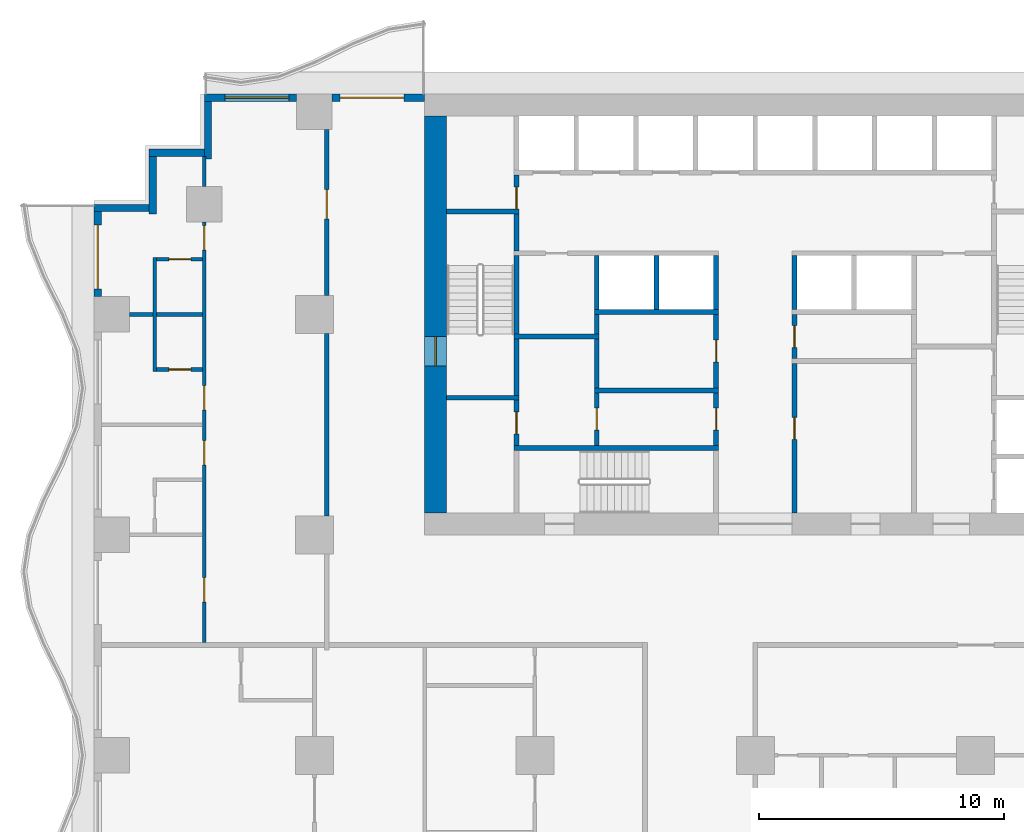
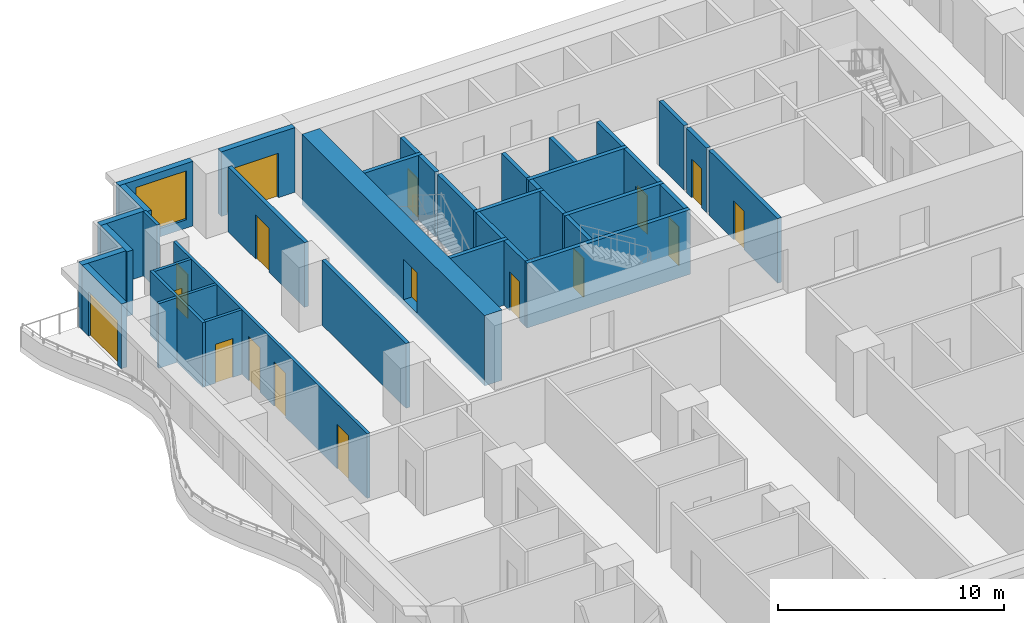
# One storey, part 5 of 14: 39 walls, 17 doors, 1 window, 18 openings.
"""IFC4 building model written with IfcOpenShell, lengths in metres."""

from ifc_helpers import new_model, si_unit, direction, frame, frame_2d, origin, place, context, subcontext, project, spatial, rectangle, extrude, material, layer, layer_set, type_object, element, fill, save


model = new_model("IFC4")

# Units and contexts
model_context = context("Model", 3, precision=1e-05, world=origin(), true_north=direction((0.0, 1.0)))
body_context = subcontext(model_context, "Body", "Model", "MODEL_VIEW")
ifc_project = project(units=[si_unit("LENGTHUNIT", "METRE"), si_unit("AREAUNIT", "SQUARE_METRE"), si_unit("VOLUMEUNIT", "CUBIC_METRE"), si_unit("PLANEANGLEUNIT", "RADIAN"), si_unit("MASSUNIT", "GRAM", prefix="KILO")], contexts=[model_context])

# Site, building, storey
site_placement = place(None, origin())
site = spatial("IfcSite", under=ifc_project, at=site_placement, CompositionType="ELEMENT")
building_placement = place(site_placement, origin())
building = spatial("IfcBuilding", under=site, at=building_placement, Name="Orbiselva Terraces", CompositionType="ELEMENT")
storey_placement = place(building_placement, frame((0.0, 0.0, 22.6)))
storey = spatial("IfcBuildingStorey", under=building, at=storey_placement, Name="L05", CompositionType="ELEMENT", Elevation=22.6)

# Wall, opening, door
ifc_material_1 = material(Name="Concrete C80/95", Category="concrete")
ifc_layer_1 = layer(ifc_material_1, 0.9)
ifc_layer_set_1 = layer_set([ifc_layer_1], Name="Concrete C80/95")
wall_type_1 = type_object("IfcWallType", Name="CORE WALL 900", PredefinedType="SHEAR", material=ifc_layer_set_1)
wall_1_placement = place(storey_placement, frame((-13.05, 21.6, -0.3), z_axis=(0.0, 0.0, 1.0), x_axis=(0.0, -1.0, 0.0)))
wall_1 = element("IfcWall", 1, at=wall_1_placement, inside=storey, type_object=wall_type_1, Name="Core wall L05 west", PredefinedType="SHEAR", context=body_context, shape_type="SweptSolid", body=[
    extrude(rectangle(XDim=16.2, YDim=0.9, at=frame_2d((8.1, 0.0))), origin(), (0.0, 0.0, 1.0), 3.8),
])
opening_1_placement = place(wall_1_placement, frame((9.0, 0.0, 0.3)))
opening_1 = element("IfcOpeningElement", 2, at=opening_1_placement, cuts=wall_1, Name="Opening DS1200", PredefinedType="OPENING", context=body_context, shape_type="SweptSolid", body=[
    extrude(rectangle(XDim=1.2, YDim=2.2, at=frame_2d((0.6, 1.1))), frame((0.0, 0.46, 0.0), z_axis=(0.0, -1.0, 0.0), x_axis=(1.0, 0.0, 0.0)), (0.0, 0.0, 1.0), 0.92),
])
ifc_material_2 = material(Name="Steel fire door", Category="steel")
door_type_1 = type_object("IfcDoorType", Name="STAIR DOOR 1200", OperationType="NOTDEFINED", PredefinedType="DOOR", material=ifc_material_2)
door_1_placement = place(opening_1_placement, frame((1.2, 0.0, 0.0), z_axis=(0.0, 0.0, 1.0), x_axis=(-1.0, 0.0, 0.0)))
door_1 = element("IfcDoor", 3, at=door_1_placement, inside=storey, type_object=door_type_1, Name="L05 EXIT STAIR S1 door", OperationType="SINGLE_SWING_RIGHT", OverallHeight=2.2, OverallWidth=1.2, PredefinedType="DOOR", context=body_context, shape_type="SweptSolid", body=[
    extrude(rectangle(XDim=1.2, YDim=2.2, at=frame_2d((0.6, 1.1))), frame((0.0, 0.025, 0.0), z_axis=(0.0, -1.0, 0.0), x_axis=(1.0, 0.0, 0.0)), (0.0, 0.0, 1.0), 0.05),
])
fill(opening_1, door_1)

ifc_material_3 = material(Name="Masonry blockwork", Category="masonry")
ifc_layer_2 = layer(ifc_material_3, 0.2)
ifc_layer_set_2 = layer_set([ifc_layer_2], Name="Masonry blockwork")
wall_type_2 = type_object("IfcWallType", Name="CORE-WALL-PARTITION-200", PredefinedType="PARTITIONING", material=ifc_layer_set_2)
wall_2_placement = place(storey_placement, frame((-9.75, 8.15, 0.0), z_axis=(0.0, 0.0, 1.0), x_axis=(0.0, 1.0, 0.0)))
wall_2 = element("IfcWall", 4, at=wall_2_placement, inside=storey, type_object=wall_type_2, Name="L05 core wall 05", PredefinedType="PARTITIONING", context=body_context, shape_type="SweptSolid", body=[
    extrude(rectangle(XDim=1.85, YDim=0.2, at=frame_2d((0.925, 0.0))), origin(), (0.0, 0.0, 1.0), 3.5),
])
opening_2_placement = place(wall_2_placement, frame((0.475, 0.0, 0.0)))
opening_2 = element("IfcOpeningElement", 5, at=opening_2_placement, cuts=wall_2, Name="Opening DR900", PredefinedType="OPENING", context=body_context, shape_type="SweptSolid", body=[
    extrude(rectangle(XDim=0.9, YDim=2.1, at=frame_2d((0.45, 1.05))), frame((0.0, 0.11, 0.0), z_axis=(0.0, -1.0, 0.0), x_axis=(1.0, 0.0, 0.0)), (0.0, 0.0, 1.0), 0.22),
])
door_type_2 = type_object("IfcDoorType", Name="ROOM DOOR 900", OperationType="NOTDEFINED", PredefinedType="DOOR", material=ifc_material_2)
door_2_placement = place(opening_2_placement, origin())
door_2 = element("IfcDoor", 6, at=door_2_placement, inside=storey, type_object=door_type_2, Name="L05 CLEANERS STORE door", OperationType="SINGLE_SWING_RIGHT", OverallHeight=2.1, OverallWidth=0.9, PredefinedType="DOOR", context=body_context, shape_type="SweptSolid", body=[
    extrude(rectangle(XDim=0.9, YDim=2.1, at=frame_2d((0.45, 1.05))), frame((0.0, 0.025, 0.0), z_axis=(0.0, -1.0, 0.0), x_axis=(1.0, 0.0, 0.0)), (0.0, 0.0, 1.0), 0.05),
])
fill(opening_2, door_2)

wall_3_placement = place(storey_placement, frame((-9.75, 17.8, 0.0), z_axis=(0.0, 0.0, 1.0), x_axis=(0.0, 1.0, 0.0)))
wall_3 = element("IfcWall", 7, at=wall_3_placement, inside=storey, type_object=wall_type_2, Name="L05 core wall 11", PredefinedType="PARTITIONING", context=body_context, shape_type="SweptSolid", body=[
    extrude(rectangle(XDim=1.4, YDim=0.2, at=frame_2d((0.7, 0.0))), origin(), (0.0, 0.0, 1.0), 3.5),
])
opening_3_placement = place(wall_3_placement, origin())
opening_3 = element("IfcOpeningElement", 8, at=opening_3_placement, cuts=wall_3, Name="Opening DR900", PredefinedType="OPENING", context=body_context, shape_type="SweptSolid", body=[
    extrude(rectangle(XDim=0.9, YDim=2.1, at=frame_2d((0.45, 1.05))), frame((0.0, 0.11, 0.0), z_axis=(0.0, -1.0, 0.0), x_axis=(1.0, 0.0, 0.0)), (0.0, 0.0, 1.0), 0.22),
])
door_3_placement = place(opening_3_placement, origin())
door_3 = element("IfcDoor", 9, at=door_3_placement, inside=storey, type_object=door_type_2, Name="L05 ELECTRICAL RISER ROOM door", OperationType="SINGLE_SWING_LEFT", OverallHeight=2.1, OverallWidth=0.9, PredefinedType="DOOR", context=body_context, shape_type="SweptSolid", body=[
    extrude(rectangle(XDim=0.9, YDim=2.1, at=frame_2d((0.45, 1.05))), frame((0.0, 0.025, 0.0), z_axis=(0.0, -1.0, 0.0), x_axis=(1.0, 0.0, 0.0)), (0.0, 0.0, 1.0), 0.05),
])
fill(opening_3, door_3)

wall_4_placement = place(storey_placement, frame((-6.475, 8.15, 0.0), z_axis=(0.0, 0.0, 1.0), x_axis=(0.0, 1.0, 0.0)))
wall_4 = element("IfcWall", 10, at=wall_4_placement, inside=storey, type_object=wall_type_2, Name="L05 core wall 15", PredefinedType="PARTITIONING", context=body_context, shape_type="SweptSolid", body=[
    extrude(rectangle(XDim=2.15, YDim=0.2, at=frame_2d((1.075, 0.0))), origin(), (0.0, 0.0, 1.0), 3.5),
])
opening_4_placement = place(wall_4_placement, frame((0.625, 0.0, 0.0)))
opening_4 = element("IfcOpeningElement", 11, at=opening_4_placement, cuts=wall_4, Name="Opening DR900", PredefinedType="OPENING", context=body_context, shape_type="SweptSolid", body=[
    extrude(rectangle(XDim=0.9, YDim=2.1, at=frame_2d((0.45, 1.05))), frame((0.0, 0.11, 0.0), z_axis=(0.0, -1.0, 0.0), x_axis=(1.0, 0.0, 0.0)), (0.0, 0.0, 1.0), 0.22),
])
door_4_placement = place(opening_4_placement, origin())
door_4 = element("IfcDoor", 12, at=door_4_placement, inside=storey, type_object=door_type_2, Name="L05 STAFF ROOM door", OperationType="SINGLE_SWING_LEFT", OverallHeight=2.1, OverallWidth=0.9, PredefinedType="DOOR", context=body_context, shape_type="SweptSolid", body=[
    extrude(rectangle(XDim=0.9, YDim=2.1, at=frame_2d((0.45, 1.05))), frame((0.0, 0.025, 0.0), z_axis=(0.0, -1.0, 0.0), x_axis=(1.0, 0.0, 0.0)), (0.0, 0.0, 1.0), 0.05),
])
fill(opening_4, door_4)

# Walls
wall_5_placement = place(storey_placement, frame((-6.475, 10.5, 0.0), z_axis=(0.0, 0.0, 1.0), x_axis=(0.0, 1.0, 0.0)))
element("IfcWall", 13, at=wall_5_placement, inside=storey, type_object=wall_type_2, Name="L05 core wall 17", PredefinedType="PARTITIONING", context=body_context, shape_type="SweptSolid", body=[
    extrude(rectangle(XDim=2.0, YDim=0.2, at=frame_2d((1.0, 0.0))), origin(), (0.0, 0.0, 1.0), 3.5),
])
wall_6_placement = place(storey_placement, frame((-6.475, 12.7, 0.0), z_axis=(0.0, 0.0, 1.0), x_axis=(0.0, 1.0, 0.0)))
element("IfcWall", 14, at=wall_6_placement, inside=storey, type_object=wall_type_2, Name="L05 core wall 18", PredefinedType="PARTITIONING", context=body_context, shape_type="SweptSolid", body=[
    extrude(rectangle(XDim=0.8, YDim=0.2, at=frame_2d((0.4, 0.0))), origin(), (0.0, 0.0, 1.0), 3.5),
])

# Wall, opening, door
wall_7_placement = place(storey_placement, frame((-1.6, 8.15, 0.0), z_axis=(0.0, 0.0, 1.0), x_axis=(0.0, 1.0, 0.0)))
wall_7 = element("IfcWall", 15, at=wall_7_placement, inside=storey, type_object=wall_type_2, Name="L05 core wall 25", PredefinedType="PARTITIONING", context=body_context, shape_type="SweptSolid", body=[
    extrude(rectangle(XDim=2.15, YDim=0.2, at=frame_2d((1.075, 0.0))), origin(), (0.0, 0.0, 1.0), 3.5),
])
opening_5_placement = place(wall_7_placement, frame((0.625, 0.0, 0.0)))
opening_5 = element("IfcOpeningElement", 16, at=opening_5_placement, cuts=wall_7, Name="Opening DR900", PredefinedType="OPENING", context=body_context, shape_type="SweptSolid", body=[
    extrude(rectangle(XDim=0.9, YDim=2.1, at=frame_2d((0.45, 1.05))), frame((0.0, 0.11, 0.0), z_axis=(0.0, -1.0, 0.0), x_axis=(1.0, 0.0, 0.0)), (0.0, 0.0, 1.0), 0.22),
])
door_5_placement = place(opening_5_placement, origin())
door_5 = element("IfcDoor", 17, at=door_5_placement, inside=storey, type_object=door_type_2, Name="L05 SERVICE PANTRY door", OperationType="SINGLE_SWING_LEFT", OverallHeight=2.1, OverallWidth=0.9, PredefinedType="DOOR", context=body_context, shape_type="SweptSolid", body=[
    extrude(rectangle(XDim=0.9, YDim=2.1, at=frame_2d((0.45, 1.05))), frame((0.0, 0.025, 0.0), z_axis=(0.0, -1.0, 0.0), x_axis=(1.0, 0.0, 0.0)), (0.0, 0.0, 1.0), 0.05),
])
fill(opening_5, door_5)

wall_8_placement = place(storey_placement, frame((-1.6, 10.5, 0.0), z_axis=(0.0, 0.0, 1.0), x_axis=(0.0, 1.0, 0.0)))
wall_8 = element("IfcWall", 18, at=wall_8_placement, inside=storey, type_object=wall_type_2, Name="L05 core wall 26", PredefinedType="PARTITIONING", context=body_context, shape_type="SweptSolid", body=[
    extrude(rectangle(XDim=3.0, YDim=0.2, at=frame_2d((1.5, 0.0))), origin(), (0.0, 0.0, 1.0), 3.5),
])
opening_6_placement = place(wall_8_placement, frame((1.05, 0.0, 0.0)))
opening_6 = element("IfcOpeningElement", 19, at=opening_6_placement, cuts=wall_8, Name="Opening DR900", PredefinedType="OPENING", context=body_context, shape_type="SweptSolid", body=[
    extrude(rectangle(XDim=0.9, YDim=2.1, at=frame_2d((0.45, 1.05))), frame((0.0, 0.11, 0.0), z_axis=(0.0, -1.0, 0.0), x_axis=(1.0, 0.0, 0.0)), (0.0, 0.0, 1.0), 0.22),
])
door_6_placement = place(opening_6_placement, origin())
door_6 = element("IfcDoor", 20, at=door_6_placement, inside=storey, type_object=door_type_2, Name="L05 LINEN STORE door", OperationType="SINGLE_SWING_RIGHT", OverallHeight=2.1, OverallWidth=0.9, PredefinedType="DOOR", context=body_context, shape_type="SweptSolid", body=[
    extrude(rectangle(XDim=0.9, YDim=2.1, at=frame_2d((0.45, 1.05))), frame((0.0, 0.025, 0.0), z_axis=(0.0, -1.0, 0.0), x_axis=(1.0, 0.0, 0.0)), (0.0, 0.0, 1.0), 0.05),
])
fill(opening_6, door_6)

wall_9_placement = place(storey_placement, frame((1.6, 13.5, 0.0), z_axis=(0.0, 0.0, 1.0), x_axis=(0.0, -1.0, 0.0)))
wall_9 = element("IfcWall", 21, at=wall_9_placement, inside=storey, type_object=wall_type_2, Name="L05 core wall 31", PredefinedType="PARTITIONING", context=body_context, shape_type="SweptSolid", body=[
    extrude(rectangle(XDim=1.8, YDim=0.2, at=frame_2d((0.9, 0.0))), origin(), (0.0, 0.0, 1.0), 3.5),
])
opening_7_placement = place(wall_9_placement, frame((0.45, 0.0, 0.0)))
opening_7 = element("IfcOpeningElement", 22, at=opening_7_placement, cuts=wall_9, Name="Opening DR900", PredefinedType="OPENING", context=body_context, shape_type="SweptSolid", body=[
    extrude(rectangle(XDim=0.9, YDim=2.1, at=frame_2d((0.45, 1.05))), frame((0.0, 0.11, 0.0), z_axis=(0.0, -1.0, 0.0), x_axis=(1.0, 0.0, 0.0)), (0.0, 0.0, 1.0), 0.22),
])
door_7_placement = place(opening_7_placement, origin())
door_7 = element("IfcDoor", 23, at=door_7_placement, inside=storey, type_object=door_type_2, Name="L05 IT ROOM door", OperationType="SINGLE_SWING_LEFT", OverallHeight=2.1, OverallWidth=0.9, PredefinedType="DOOR", context=body_context, shape_type="SweptSolid", body=[
    extrude(rectangle(XDim=0.9, YDim=2.1, at=frame_2d((0.45, 1.05))), frame((0.0, 0.025, 0.0), z_axis=(0.0, -1.0, 0.0), x_axis=(1.0, 0.0, 0.0)), (0.0, 0.0, 1.0), 0.05),
])
fill(opening_7, door_7)

# Walls
ifc_material_4 = material(Name="Concrete C40/50", Category="concrete")
ifc_layer_3 = layer(ifc_material_4, 0.2)
ifc_layer_set_3 = layer_set([ifc_layer_3], Name="Concrete C40/50")
wall_type_3 = type_object("IfcWallType", Name="CORE-WALL-SHAFT-200", PredefinedType="PARTITIONING", material=ifc_layer_set_3)
for number, where, z_axis, x_axis, name in (
    (24, (-6.475, 13.7, 0.0), (0.0, 0.0, 1.0), (0.0, 1.0, 0.0), "L05 core wall 20"),
    (25, (-4.0375, 13.7, 0.0), (0.0, 0.0, 1.0), (0.0, 1.0, 0.0), "L05 core wall 22"),
    (26, (-1.6, 13.7, 0.0), (0.0, 0.0, 1.0), (0.0, 1.0, 0.0), "L05 core wall 27"),
    (27, (1.6, 13.7, 0.0), (0.0, 0.0, 1.0), (0.0, 1.0, 0.0), "L05 core wall 33"),
):
    element("IfcWall", number, at=place(storey_placement, frame(where, z_axis=z_axis, x_axis=x_axis)), inside=storey, type_object=wall_type_3, Name=name, PredefinedType="PARTITIONING", context=body_context, shape_type="SweptSolid", body=[
        extrude(rectangle(XDim=2.2, YDim=0.2, at=frame_2d((1.1, 0.0))), origin(), (0.0, 0.0, 1.0), 3.5),
    ])
ifc_material_5 = material(Name="Concrete C60/75", Category="concrete")
ifc_layer_4 = layer(ifc_material_5, 0.2)
ifc_layer_set_4 = layer_set([ifc_layer_4], Name="Concrete C60/75")
wall_type_4 = type_object("IfcWallType", Name="CORE-WALL-SHEAR-200", PredefinedType="SHEAR", material=ifc_layer_set_4)
for number, where, z_axis, x_axis, name in (
    (28, (-12.6, 10.1, 0.0), (0.0, 0.0, 1.0), (1.0, 0.0, 0.0), "L05 core wall 01"),
    (29, (-12.6, 17.7, 0.0), (0.0, 0.0, 1.0), (1.0, 0.0, 0.0), "L05 core wall 02"),
):
    element("IfcWall", number, at=place(storey_placement, frame(where, z_axis=z_axis, x_axis=x_axis)), inside=storey, type_object=wall_type_4, Name=name, PredefinedType="SHEAR", context=body_context, shape_type="SweptSolid", body=[
        extrude(rectangle(XDim=2.95, YDim=0.2, at=frame_2d((1.475, 0.0))), origin(), (0.0, 0.0, 1.0), 3.5),
    ])
wall_10_placement = place(storey_placement, frame((-9.85, 8.05, 0.0), z_axis=(0.0, 0.0, 1.0), x_axis=(1.0, 0.0, 0.0)))
element("IfcWall", 30, at=wall_10_placement, inside=storey, type_object=wall_type_4, Name="L05 core wall 04", PredefinedType="SHEAR", context=body_context, shape_type="SweptSolid", body=[
    extrude(rectangle(XDim=8.35, YDim=0.2, at=frame_2d((4.175, 0.0))), origin(), (0.0, 0.0, 1.0), 3.5),
])
wall_11_placement = place(storey_placement, frame((-9.75, 10.2, 0.0), z_axis=(0.0, 0.0, 1.0), x_axis=(0.0, 1.0, 0.0)))
element("IfcWall", 31, at=wall_11_placement, inside=storey, type_object=wall_type_4, Name="L05 core wall 06", PredefinedType="SHEAR", context=body_context, shape_type="SweptSolid", body=[
    extrude(rectangle(XDim=2.3, YDim=0.2, at=frame_2d((1.15, 0.0))), origin(), (0.0, 0.0, 1.0), 3.5),
])
wall_12_placement = place(storey_placement, frame((-9.85, 12.6, 0.0), z_axis=(0.0, 0.0, 1.0), x_axis=(1.0, 0.0, 0.0)))
element("IfcWall", 32, at=wall_12_placement, inside=storey, type_object=wall_type_4, Name="L05 core wall 07", PredefinedType="SHEAR", context=body_context, shape_type="SweptSolid", body=[
    extrude(rectangle(XDim=3.475, YDim=0.2, at=frame_2d((1.7375, 0.0))), origin(), (0.0, 0.0, 1.0), 3.5),
])
wall_13_placement = place(storey_placement, frame((-9.75, 12.7, 0.0), z_axis=(0.0, 0.0, 1.0), x_axis=(0.0, 1.0, 0.0)))
element("IfcWall", 33, at=wall_13_placement, inside=storey, type_object=wall_type_4, Name="L05 core wall 08", PredefinedType="SHEAR", context=body_context, shape_type="SweptSolid", body=[
    extrude(rectangle(XDim=3.2, YDim=0.2, at=frame_2d((1.6, 0.0))), origin(), (0.0, 0.0, 1.0), 3.5),
])
wall_14_placement = place(storey_placement, frame((-9.75, 16.1, 0.0), z_axis=(0.0, 0.0, 1.0), x_axis=(0.0, 1.0, 0.0)))
element("IfcWall", 34, at=wall_14_placement, inside=storey, type_object=wall_type_4, Name="L05 core wall 10", PredefinedType="SHEAR", context=body_context, shape_type="SweptSolid", body=[
    extrude(rectangle(XDim=1.5, YDim=0.2, at=frame_2d((0.75, 0.0))), origin(), (0.0, 0.0, 1.0), 3.5),
])
for number, where, z_axis, x_axis, name in (
    (35, (-6.575, 10.4, 0.0), (0.0, 0.0, 1.0), (1.0, 0.0, 0.0), "L05 core wall 16"),
    (36, (-6.575, 13.6, 0.0), (0.0, 0.0, 1.0), (1.0, 0.0, 0.0), "L05 core wall 19"),
):
    element("IfcWall", number, at=place(storey_placement, frame(where, z_axis=z_axis, x_axis=x_axis)), inside=storey, type_object=wall_type_4, Name=name, PredefinedType="SHEAR", context=body_context, shape_type="SweptSolid", body=[
        extrude(rectangle(XDim=5.075, YDim=0.2, at=frame_2d((2.5375, 0.0))), origin(), (0.0, 0.0, 1.0), 3.5),
    ])

# Wall, opening, door
wall_15_placement = place(storey_placement, frame((1.6, 11.5, 0.0), z_axis=(0.0, 0.0, 1.0), x_axis=(0.0, -1.0, 0.0)))
wall_15 = element("IfcWall", 37, at=wall_15_placement, inside=storey, type_object=wall_type_4, Name="L05 core wall 29", PredefinedType="SHEAR", context=body_context, shape_type="SweptSolid", body=[
    extrude(rectangle(XDim=6.1, YDim=0.2, at=frame_2d((3.05, 0.0))), origin(), (0.0, 0.0, 1.0), 3.5),
])
opening_8_placement = place(wall_15_placement, frame((2.2, 0.0, 0.0)))
opening_8 = element("IfcOpeningElement", 38, at=opening_8_placement, cuts=wall_15, Name="Opening DR900", PredefinedType="OPENING", context=body_context, shape_type="SweptSolid", body=[
    extrude(rectangle(XDim=0.9, YDim=2.1, at=frame_2d((0.45, 1.05))), frame((0.0, 0.11, 0.0), z_axis=(0.0, -1.0, 0.0), x_axis=(1.0, 0.0, 0.0)), (0.0, 0.0, 1.0), 0.22),
])
door_8_placement = place(opening_8_placement, origin())
door_8 = element("IfcDoor", 39, at=door_8_placement, inside=storey, type_object=door_type_2, Name="L05 SERVICE ROOM door", OperationType="SINGLE_SWING_LEFT", OverallHeight=2.1, OverallWidth=0.9, PredefinedType="DOOR", context=body_context, shape_type="SweptSolid", body=[
    extrude(rectangle(XDim=0.9, YDim=2.1, at=frame_2d((0.45, 1.05))), frame((0.0, 0.025, 0.0), z_axis=(0.0, -1.0, 0.0), x_axis=(1.0, 0.0, 0.0)), (0.0, 0.0, 1.0), 0.05),
])
fill(opening_8, door_8)

ifc_material_6 = material(Name="Terracotta cladding on masonry backing", Category="masonry")
ifc_layer_5 = layer(ifc_material_6, 0.3)
ifc_layer_set_5 = layer_set([ifc_layer_5], Name="Terracotta cladding on masonry backing")
wall_type_5 = type_object("IfcWallType", Name="ENV-WALL-TERRACOTTA-300", PredefinedType="SOLIDWALL", material=ifc_layer_set_5)
wall_16_placement = place(storey_placement, frame((-17.275, 22.35, 0.0), z_axis=(0.0, 0.0, 1.0), x_axis=(1.0, 0.0, 0.0)))
wall_16 = element("IfcWall", 40, at=wall_16_placement, inside=storey, type_object=wall_type_5, Name="Facade wall L05 NW", PredefinedType="SOLIDWALL", context=body_context, shape_type="SweptSolid", body=[
    extrude(rectangle(XDim=3.775, YDim=0.3, at=frame_2d((1.8875, 0.0))), origin(), (0.0, 0.0, 1.0), 3.5),
])
opening_9_placement = place(wall_16_placement, frame((0.325, 0.0, 0.0)))
opening_9 = element("IfcOpeningElement", 41, at=opening_9_placement, cuts=wall_16, Name="Opening Z1-A-E08", PredefinedType="OPENING", context=body_context, shape_type="SweptSolid", body=[
    extrude(rectangle(XDim=2.6, YDim=2.4, at=frame_2d((1.3, 1.2))), frame((0.0, 0.16, 0.0), z_axis=(0.0, -1.0, 0.0), x_axis=(1.0, 0.0, 0.0)), (0.0, 0.0, 1.0), 0.32),
])
ifc_material_7 = material(Name="Clear low-e glazing in aluminium frame", Category="aluminium")
door_type_3 = type_object("IfcDoorType", Name="BALCONY DOOR 2600 X 2400", OperationType="DOUBLE_DOOR_SLIDING", PredefinedType="DOOR", material=ifc_material_7)
door_9_placement = place(opening_9_placement, origin())
door_9 = element("IfcDoor", 42, at=door_9_placement, inside=storey, type_object=door_type_3, Name="Z1-A-E08", OperationType="SINGLE_SWING_LEFT", OverallHeight=2.4, OverallWidth=2.6, PredefinedType="DOOR", context=body_context, shape_type="SweptSolid", body=[
    extrude(rectangle(XDim=2.6, YDim=2.4, at=frame_2d((1.3, 1.2))), frame((0.0, 0.025, 0.0), z_axis=(0.0, -1.0, 0.0), x_axis=(1.0, 0.0, 0.0)), (0.0, 0.0, 1.0), 0.05),
])
fill(opening_9, door_9)

# Wall, opening, window
wall_17_placement = place(storey_placement, frame((-22.5, 22.35, 0.0), z_axis=(0.0, 0.0, 1.0), x_axis=(1.0, 0.0, 0.0)))
wall_17 = element("IfcWall", 43, at=wall_17_placement, inside=storey, type_object=wall_type_5, Name="Facade wall L05 NW", PredefinedType="SOLIDWALL", context=body_context, shape_type="SweptSolid", body=[
    extrude(rectangle(XDim=3.775, YDim=0.3, at=frame_2d((1.8875, 0.0))), origin(), (0.0, 0.0, 1.0), 3.5),
])
opening_10_placement = place(wall_17_placement, frame((0.85, 0.0, 0.45)))
opening_10 = element("IfcOpeningElement", 44, at=opening_10_placement, cuts=wall_17, Name="Opening WN1", PredefinedType="OPENING", context=body_context, shape_type="SweptSolid", body=[
    extrude(rectangle(XDim=2.6, YDim=2.65, at=frame_2d((1.3, 1.325))), frame((0.0, 0.16, 0.0), z_axis=(0.0, -1.0, 0.0), x_axis=(1.0, 0.0, 0.0)), (0.0, 0.0, 1.0), 0.32),
])
window_type = type_object("IfcWindowType", Name="WINDOW 2600 X 2650 S450", PartitioningType="TRIPLE_PANEL_VERTICAL", PredefinedType="WINDOW", material=ifc_material_7)
window_placement = place(opening_10_placement, origin())
window = element("IfcWindow", 45, at=window_placement, inside=storey, type_object=window_type, Name="Window L05 NW", OverallHeight=2.65, OverallWidth=2.6, PartitioningType="SINGLE_PANEL", PredefinedType="WINDOW", context=body_context, shape_type="SweptSolid", body=[
    extrude(rectangle(XDim=2.6, YDim=2.65, at=frame_2d((1.3, 1.325))), frame((0.0, 0.03, 0.0), z_axis=(0.0, -1.0, 0.0), x_axis=(1.0, 0.0, 0.0)), (0.0, 0.0, 1.0), 0.06),
])
fill(opening_10, window)

# Walls
wall_18_placement = place(storey_placement, frame((-22.35, 19.85, 0.0), z_axis=(0.0, 0.0, 1.0), x_axis=(0.0, 1.0, 0.0)))
element("IfcWall", 46, at=wall_18_placement, inside=storey, type_object=wall_type_5, Name="Facade wall L05 STEP", PredefinedType="SOLIDWALL", context=body_context, shape_type="SweptSolid", body=[
    extrude(rectangle(XDim=2.35, YDim=0.3, at=frame_2d((1.175, 0.0))), origin(), (0.0, 0.0, 1.0), 3.5),
])
wall_19_placement = place(storey_placement, frame((-24.75, 20.1, 0.0), z_axis=(0.0, 0.0, 1.0), x_axis=(1.0, 0.0, 0.0)))
element("IfcWall", 47, at=wall_19_placement, inside=storey, type_object=wall_type_5, Name="Facade wall L05 STEP", PredefinedType="SOLIDWALL", context=body_context, shape_type="SweptSolid", body=[
    extrude(rectangle(XDim=2.25, YDim=0.3, at=frame_2d((1.125, 0.0))), origin(), (0.0, 0.0, 1.0), 3.5),
])
wall_20_placement = place(storey_placement, frame((-24.6, 17.6, 0.0), z_axis=(0.0, 0.0, 1.0), x_axis=(0.0, 1.0, 0.0)))
element("IfcWall", 48, at=wall_20_placement, inside=storey, type_object=wall_type_5, Name="Facade wall L05 STEP", PredefinedType="SOLIDWALL", context=body_context, shape_type="SweptSolid", body=[
    extrude(rectangle(XDim=2.35, YDim=0.3, at=frame_2d((1.175, 0.0))), origin(), (0.0, 0.0, 1.0), 3.5),
])
wall_21_placement = place(storey_placement, frame((-27.0, 17.85, 0.0), z_axis=(0.0, 0.0, 1.0), x_axis=(1.0, 0.0, 0.0)))
element("IfcWall", 49, at=wall_21_placement, inside=storey, type_object=wall_type_5, Name="Facade wall L05 STEP", PredefinedType="SOLIDWALL", context=body_context, shape_type="SweptSolid", body=[
    extrude(rectangle(XDim=2.25, YDim=0.3, at=frame_2d((1.125, 0.0))), origin(), (0.0, 0.0, 1.0), 3.5),
])

# Wall, opening, door
wall_22_placement = place(storey_placement, frame((-26.85, 14.225, 0.0), z_axis=(0.0, 0.0, 1.0), x_axis=(0.0, 1.0, 0.0)))
wall_22 = element("IfcWall", 50, at=wall_22_placement, inside=storey, type_object=wall_type_5, Name="Facade wall L05 W", PredefinedType="SOLIDWALL", context=body_context, shape_type="SweptSolid", body=[
    extrude(rectangle(XDim=3.475, YDim=0.3, at=frame_2d((1.7375, 0.0))), origin(), (0.0, 0.0, 1.0), 3.5),
])
opening_11_placement = place(wall_22_placement, frame((0.325, 0.0, 0.0)))
opening_11 = element("IfcOpeningElement", 51, at=opening_11_placement, cuts=wall_22, Name="Opening Z1-A-E09", PredefinedType="OPENING", context=body_context, shape_type="SweptSolid", body=[
    extrude(rectangle(XDim=2.6, YDim=2.4, at=frame_2d((1.3, 1.2))), frame((0.0, 0.16, 0.0), z_axis=(0.0, -1.0, 0.0), x_axis=(1.0, 0.0, 0.0)), (0.0, 0.0, 1.0), 0.32),
])
door_10_placement = place(opening_11_placement, origin())
door_10 = element("IfcDoor", 52, at=door_10_placement, inside=storey, type_object=door_type_3, Name="Z1-A-E09", OperationType="SINGLE_SWING_LEFT", OverallHeight=2.4, OverallWidth=2.6, PredefinedType="DOOR", context=body_context, shape_type="SweptSolid", body=[
    extrude(rectangle(XDim=2.6, YDim=2.4, at=frame_2d((1.3, 1.2))), frame((0.0, 0.025, 0.0), z_axis=(0.0, -1.0, 0.0), x_axis=(1.0, 0.0, 0.0)), (0.0, 0.0, 1.0), 0.05),
])
fill(opening_11, door_10)

# Wall
ifc_material_8 = material(Name="Plasterboard on steel stud partition", Category="steel")
ifc_layer_6 = layer(ifc_material_8, 0.2)
ifc_layer_set_6 = layer_set([ifc_layer_6], Name="Plasterboard on steel stud partition")
wall_type_6 = type_object("IfcWallType", Name="UNIT-ENTRANCE-WALL-200", PredefinedType="PARTITIONING", material=ifc_layer_set_6)
wall_23_placement = place(storey_placement, frame((-17.5, 5.275, 0.0), z_axis=(0.0, 0.0, 1.0), x_axis=(0.0, 1.0, 0.0)))
element("IfcWall", 53, at=wall_23_placement, inside=storey, type_object=wall_type_6, Name="PARTITION L05-058", PredefinedType="PARTITIONING", context=body_context, shape_type="SweptSolid", body=[
    extrude(rectangle(XDim=7.45, YDim=0.2, at=frame_2d((3.725, 0.0))), origin(), (0.0, 0.0, 1.0), 3.5),
])

# Wall, opening, door
wall_24_placement = place(storey_placement, frame((-17.5, 14.275, 0.0), z_axis=(0.0, 0.0, 1.0), x_axis=(0.0, 1.0, 0.0)))
wall_24 = element("IfcWall", 54, at=wall_24_placement, inside=storey, type_object=wall_type_6, Name="PARTITION L05-059", PredefinedType="PARTITIONING", context=body_context, shape_type="SweptSolid", body=[
    extrude(rectangle(XDim=6.775, YDim=0.2, at=frame_2d((3.3875, 0.0))), origin(), (0.0, 0.0, 1.0), 3.5),
])
opening_12_placement = place(wall_24_placement, frame((3.125, 0.0, 0.0)))
opening_12 = element("IfcOpeningElement", 55, at=opening_12_placement, cuts=wall_24, Name="Opening Z1-A-01", PredefinedType="OPENING", context=body_context, shape_type="SweptSolid", body=[
    extrude(rectangle(XDim=1.2, YDim=2.4, at=frame_2d((0.6, 1.2))), frame((0.0, 0.11, 0.0), z_axis=(0.0, -1.0, 0.0), x_axis=(1.0, 0.0, 0.0)), (0.0, 0.0, 1.0), 0.22),
])
ifc_material_9 = material(Name="Painted timber door leaf", Category="wood")
door_type_4 = type_object("IfcDoorType", Name="ENTRANCE DOOR 1200", OperationType="NOTDEFINED", PredefinedType="DOOR", material=ifc_material_9)
door_11_placement = place(opening_12_placement, origin())
door_11 = element("IfcDoor", 56, at=door_11_placement, inside=storey, type_object=door_type_4, Name="Z1-A-01", OperationType="SINGLE_SWING_RIGHT", OverallHeight=2.4, OverallWidth=1.2, PredefinedType="DOOR", context=body_context, shape_type="SweptSolid", body=[
    extrude(rectangle(XDim=1.2, YDim=2.4, at=frame_2d((0.6, 1.2))), frame((0.0, 0.025, 0.0), z_axis=(0.0, -1.0, 0.0), x_axis=(1.0, 0.0, 0.0)), (0.0, 0.0, 1.0), 0.05),
])
fill(opening_12, door_11)

ifc_layer_7 = layer(ifc_material_8, 0.15)
ifc_layer_set_7 = layer_set([ifc_layer_7], Name="Plasterboard on steel stud partition")
wall_type_7 = type_object("IfcWallType", Name="UNIT-PARTITION-150", PredefinedType="PARTITIONING", material=ifc_layer_set_7)
wall_25_placement = place(storey_placement, frame((-24.45, 11.25, 0.0), z_axis=(0.0, 0.0, 1.0), x_axis=(1.0, 0.0, 0.0)))
wall_25 = element("IfcWall", 57, at=wall_25_placement, inside=storey, type_object=wall_type_7, Name="PARTITION L05-039", PredefinedType="PARTITIONING", context=body_context, shape_type="SweptSolid", body=[
    extrude(rectangle(XDim=1.875, YDim=0.15, at=frame_2d((0.9375, 0.0))), origin(), (0.0, 0.0, 1.0), 3.5),
])
opening_13_placement = place(wall_25_placement, frame((0.5, 0.0, 0.0)))
opening_13 = element("IfcOpeningElement", 58, at=opening_13_placement, cuts=wall_25, Name="Opening Z1-A-06", PredefinedType="OPENING", context=body_context, shape_type="SweptSolid", body=[
    extrude(rectangle(XDim=0.9, YDim=2.1, at=frame_2d((0.45, 1.05))), frame((0.0, 0.085, 0.0), z_axis=(0.0, -1.0, 0.0), x_axis=(1.0, 0.0, 0.0)), (0.0, 0.0, 1.0), 0.17),
])
door_type_5 = type_object("IfcDoorType", Name="BATH DOOR 900", OperationType="NOTDEFINED", PredefinedType="DOOR", material=ifc_material_9)
door_12_placement = place(opening_13_placement, origin())
door_12 = element("IfcDoor", 59, at=door_12_placement, inside=storey, type_object=door_type_5, Name="Z1-A-06", OperationType="SINGLE_SWING_RIGHT", OverallHeight=2.1, OverallWidth=0.9, PredefinedType="DOOR", context=body_context, shape_type="SweptSolid", body=[
    extrude(rectangle(XDim=0.9, YDim=2.1, at=frame_2d((0.45, 1.05))), frame((0.0, 0.025, 0.0), z_axis=(0.0, -1.0, 0.0), x_axis=(1.0, 0.0, 0.0)), (0.0, 0.0, 1.0), 0.05),
])
fill(opening_13, door_12)

# Walls
wall_26_placement = place(storey_placement, frame((-25.55, 13.5, 0.0), z_axis=(0.0, 0.0, 1.0), x_axis=(1.0, 0.0, 0.0)))
element("IfcWall", 60, at=wall_26_placement, inside=storey, type_object=wall_type_7, Name="PARTITION L05-041", PredefinedType="PARTITIONING", context=body_context, shape_type="SweptSolid", body=[
    extrude(rectangle(XDim=0.95, YDim=0.15, at=frame_2d((0.475, 0.0))), origin(), (0.0, 0.0, 1.0), 3.5),
])
wall_27_placement = place(storey_placement, frame((-24.45, 13.5, 0.0), z_axis=(0.0, 0.0, 1.0), x_axis=(1.0, 0.0, 0.0)))
element("IfcWall", 61, at=wall_27_placement, inside=storey, type_object=wall_type_7, Name="PARTITION L05-042", PredefinedType="PARTITIONING", context=body_context, shape_type="SweptSolid", body=[
    extrude(rectangle(XDim=1.875, YDim=0.15, at=frame_2d((0.9375, 0.0))), origin(), (0.0, 0.0, 1.0), 3.5),
])

# Wall, opening, door
wall_28_placement = place(storey_placement, frame((-22.575, 15.75, 0.0), z_axis=(0.0, 0.0, 1.0), x_axis=(-1.0, 0.0, 0.0)))
wall_28 = element("IfcWall", 62, at=wall_28_placement, inside=storey, type_object=wall_type_7, Name="PARTITION L05-045", PredefinedType="PARTITIONING", context=body_context, shape_type="SweptSolid", body=[
    extrude(rectangle(XDim=1.875, YDim=0.15, at=frame_2d((0.9375, 0.0))), origin(), (0.0, 0.0, 1.0), 3.5),
])
opening_14_placement = place(wall_28_placement, frame((0.475, 0.0, 0.0)))
opening_14 = element("IfcOpeningElement", 63, at=opening_14_placement, cuts=wall_28, Name="Opening Z1-A-08", PredefinedType="OPENING", context=body_context, shape_type="SweptSolid", body=[
    extrude(rectangle(XDim=0.9, YDim=2.1, at=frame_2d((0.45, 1.05))), frame((0.0, 0.085, 0.0), z_axis=(0.0, -1.0, 0.0), x_axis=(1.0, 0.0, 0.0)), (0.0, 0.0, 1.0), 0.17),
])
door_13_placement = place(opening_14_placement, origin())
door_13 = element("IfcDoor", 64, at=door_13_placement, inside=storey, type_object=door_type_5, Name="Z1-A-08", OperationType="SINGLE_SWING_LEFT", OverallHeight=2.1, OverallWidth=0.9, PredefinedType="DOOR", context=body_context, shape_type="SweptSolid", body=[
    extrude(rectangle(XDim=0.9, YDim=2.1, at=frame_2d((0.45, 1.05))), frame((0.0, 0.025, 0.0), z_axis=(0.0, -1.0, 0.0), x_axis=(1.0, 0.0, 0.0)), (0.0, 0.0, 1.0), 0.05),
])
fill(opening_14, door_13)

# Wall
wall_29_placement = place(storey_placement, frame((-24.525, 11.175, 0.0), z_axis=(0.0, 0.0, 1.0), x_axis=(0.0, 1.0, 0.0)))
element("IfcWall", 65, at=wall_29_placement, inside=storey, type_object=wall_type_7, Name="PARTITION L05-048", PredefinedType="PARTITIONING", context=body_context, shape_type="SweptSolid", body=[
    extrude(rectangle(XDim=4.65, YDim=0.15, at=frame_2d((2.325, 0.0))), origin(), (0.0, 0.0, 1.0), 3.5),
])

# Wall, openings, doors
wall_30_placement = place(storey_placement, frame((-22.5, 0.1, 0.0), z_axis=(0.0, 0.0, 1.0), x_axis=(0.0, 1.0, 0.0)))
wall_30 = element("IfcWall", 66, at=wall_30_placement, inside=storey, type_object=wall_type_7, Name="PARTITION L05-049", PredefinedType="PARTITIONING", context=body_context, shape_type="SweptSolid", body=[
    extrude(rectangle(XDim=17.175, YDim=0.15, at=frame_2d((8.5875, 0.0))), origin(), (0.0, 0.0, 1.0), 3.5),
])
opening_15_placement = place(wall_30_placement, frame((1.65, 0.0, 0.0)))
opening_15 = element("IfcOpeningElement", 67, at=opening_15_placement, cuts=wall_30, Name="Opening Z1-A-02", PredefinedType="OPENING", context=body_context, shape_type="SweptSolid", body=[
    extrude(rectangle(XDim=1.0, YDim=2.4, at=frame_2d((0.5, 1.2))), frame((0.0, 0.085, 0.0), z_axis=(0.0, -1.0, 0.0), x_axis=(1.0, 0.0, 0.0)), (0.0, 0.0, 1.0), 0.17),
])
opening_16_placement = place(wall_30_placement, frame((7.25, 0.0, 0.0)))
opening_16 = element("IfcOpeningElement", 68, at=opening_16_placement, cuts=wall_30, Name="Opening Z1-A-03", PredefinedType="OPENING", context=body_context, shape_type="SweptSolid", body=[
    extrude(rectangle(XDim=1.0, YDim=2.4, at=frame_2d((0.5, 1.2))), frame((0.0, 0.085, 0.0), z_axis=(0.0, -1.0, 0.0), x_axis=(1.0, 0.0, 0.0)), (0.0, 0.0, 1.0), 0.17),
])
opening_17_placement = place(wall_30_placement, frame((9.5, 0.0, 0.0)))
opening_17 = element("IfcOpeningElement", 69, at=opening_17_placement, cuts=wall_30, Name="Opening Z1-A-05", PredefinedType="OPENING", context=body_context, shape_type="SweptSolid", body=[
    extrude(rectangle(XDim=1.0, YDim=2.4, at=frame_2d((0.5, 1.2))), frame((0.0, 0.085, 0.0), z_axis=(0.0, -1.0, 0.0), x_axis=(1.0, 0.0, 0.0)), (0.0, 0.0, 1.0), 0.17),
])
opening_18_placement = place(wall_30_placement, frame((16.025, 0.0, 0.0)))
opening_18 = element("IfcOpeningElement", 70, at=opening_18_placement, cuts=wall_30, Name="Opening Z1-A-07", PredefinedType="OPENING", context=body_context, shape_type="SweptSolid", body=[
    extrude(rectangle(XDim=1.0, YDim=2.4, at=frame_2d((0.5, 1.2))), frame((0.0, 0.085, 0.0), z_axis=(0.0, -1.0, 0.0), x_axis=(1.0, 0.0, 0.0)), (0.0, 0.0, 1.0), 0.17),
])
door_type_6 = type_object("IfcDoorType", Name="ROOM DOOR 1000", OperationType="NOTDEFINED", PredefinedType="DOOR", material=ifc_material_9)
door_14_placement = place(opening_15_placement, origin())
door_14 = element("IfcDoor", 71, at=door_14_placement, inside=storey, type_object=door_type_6, Name="Z1-A-02", OperationType="SINGLE_SWING_LEFT", OverallHeight=2.4, OverallWidth=1.0, PredefinedType="DOOR", context=body_context, shape_type="SweptSolid", body=[
    extrude(rectangle(XDim=1.0, YDim=2.4, at=frame_2d((0.5, 1.2))), frame((0.0, 0.025, 0.0), z_axis=(0.0, -1.0, 0.0), x_axis=(1.0, 0.0, 0.0)), (0.0, 0.0, 1.0), 0.05),
])
fill(opening_15, door_14)
door_15_placement = place(opening_16_placement, origin())
door_15 = element("IfcDoor", 72, at=door_15_placement, inside=storey, type_object=door_type_6, Name="Z1-A-03", OperationType="SINGLE_SWING_LEFT", OverallHeight=2.4, OverallWidth=1.0, PredefinedType="DOOR", context=body_context, shape_type="SweptSolid", body=[
    extrude(rectangle(XDim=1.0, YDim=2.4, at=frame_2d((0.5, 1.2))), frame((0.0, 0.025, 0.0), z_axis=(0.0, -1.0, 0.0), x_axis=(1.0, 0.0, 0.0)), (0.0, 0.0, 1.0), 0.05),
])
fill(opening_16, door_15)
door_16_placement = place(opening_17_placement, origin())
door_16 = element("IfcDoor", 73, at=door_16_placement, inside=storey, type_object=door_type_6, Name="Z1-A-05", OperationType="SINGLE_SWING_RIGHT", OverallHeight=2.4, OverallWidth=1.0, PredefinedType="DOOR", context=body_context, shape_type="SweptSolid", body=[
    extrude(rectangle(XDim=1.0, YDim=2.4, at=frame_2d((0.5, 1.2))), frame((0.0, 0.025, 0.0), z_axis=(0.0, -1.0, 0.0), x_axis=(1.0, 0.0, 0.0)), (0.0, 0.0, 1.0), 0.05),
])
fill(opening_17, door_16)
door_17_placement = place(opening_18_placement, origin())
door_17 = element("IfcDoor", 74, at=door_17_placement, inside=storey, type_object=door_type_6, Name="Z1-A-07", OperationType="SINGLE_SWING_RIGHT", OverallHeight=2.4, OverallWidth=1.0, PredefinedType="DOOR", context=body_context, shape_type="SweptSolid", body=[
    extrude(rectangle(XDim=1.0, YDim=2.4, at=frame_2d((0.5, 1.2))), frame((0.0, 0.025, 0.0), z_axis=(0.0, -1.0, 0.0), x_axis=(1.0, 0.0, 0.0)), (0.0, 0.0, 1.0), 0.05),
])
fill(opening_18, door_17)

# Wall
wall_31_placement = place(storey_placement, frame((-22.5, 18.725, 0.0), z_axis=(0.0, 0.0, 1.0), x_axis=(0.0, 1.0, 0.0)))
element("IfcWall", 75, at=wall_31_placement, inside=storey, type_object=wall_type_7, Name="PARTITION L05-050", PredefinedType="PARTITIONING", context=body_context, shape_type="SweptSolid", body=[
    extrude(rectangle(XDim=1.225, YDim=0.15, at=frame_2d((0.6125, 0.0))), origin(), (0.0, 0.0, 1.0), 3.5),
])

save(model, "model.ifc")
